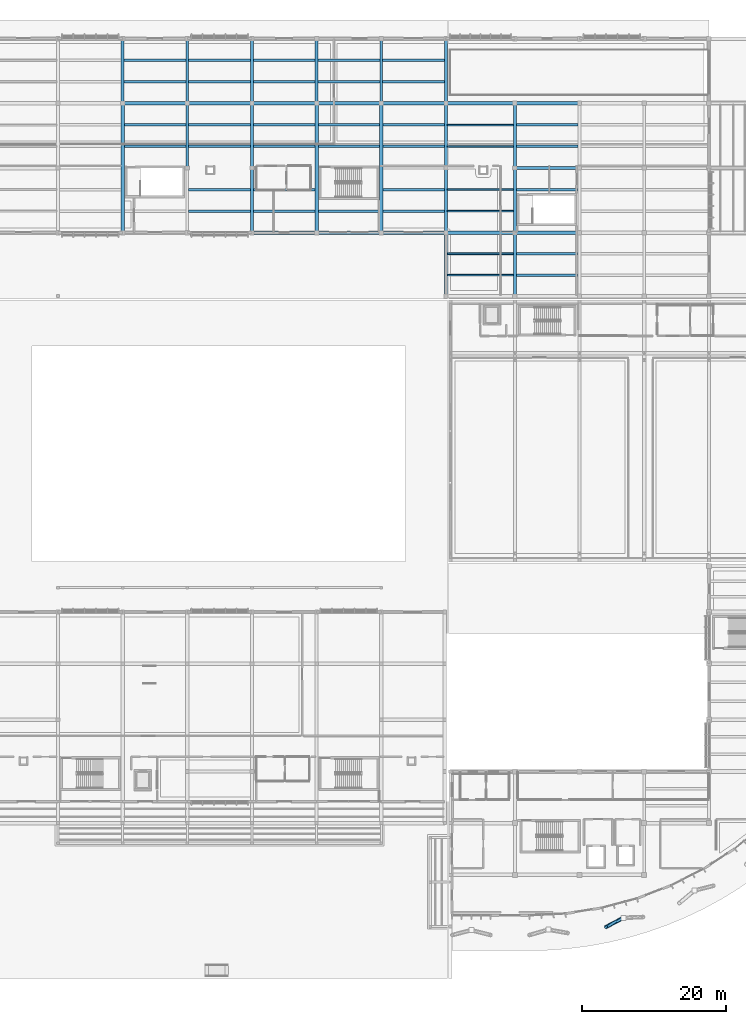
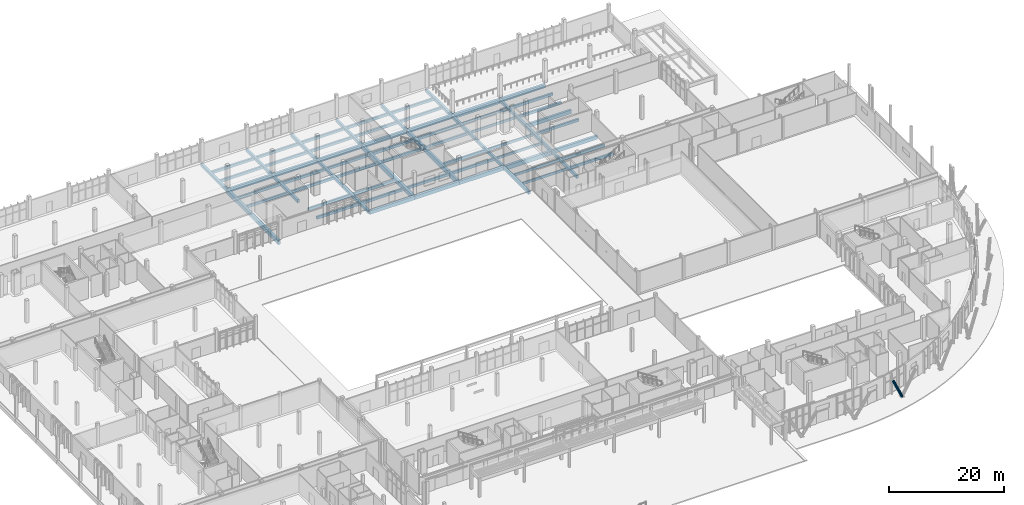
# One storey, part 67 of 151: 69 beams, 1 member.
"""IFC4 building model written with IfcOpenShell, lengths in metres."""

from ifc_helpers import new_model, si_unit, direction, frame, origin, origin_2d, place, context, subcontext, project, spatial, rectangle, hollow_circle, extrude, material, material_profile, profile_set, type_object, element, save


model = new_model("IFC4")

# Units and contexts
model_context = context("Model", 3, precision=1e-05, world=origin(), true_north=direction((0.0, 1.0)))
body_context = subcontext(model_context, "Body", "Model", "MODEL_VIEW")
ifc_project = project(units=[si_unit("LENGTHUNIT", "METRE"), si_unit("AREAUNIT", "SQUARE_METRE"), si_unit("VOLUMEUNIT", "CUBIC_METRE"), si_unit("PLANEANGLEUNIT", "RADIAN"), si_unit("MASSUNIT", "GRAM", prefix="KILO")], contexts=[model_context])

# Site, building, storey
site_placement = place(None, origin())
site = spatial("IfcSite", under=ifc_project, at=site_placement, CompositionType="ELEMENT")
building_placement = place(site_placement, origin())
building = spatial("IfcBuilding", under=site, at=building_placement, Name="Chiffa Square Polytechnic", CompositionType="ELEMENT")
storey_placement = place(building_placement, origin())
storey = spatial("IfcBuildingStorey", under=building, at=storey_placement, Name="L00", CompositionType="ELEMENT", Elevation=0.0)

# Beams
ifc_material_1 = material(Name="Concrete C35/45", Category="concrete")
ifc_material_profile_1 = material_profile(ifc_material_1, rectangle(XDim=0.39990234375, YDim=0.64990234375, at=origin_2d()), Name="RC 400x650")
ifc_profile_set_1 = profile_set([ifc_material_profile_1], Name="Concrete C35/45")
beam_type_1 = type_object("IfcBeamType", Name="BM-RC-400X650", PredefinedType="BEAM", material=ifc_profile_set_1)
for number, where, z_axis, x_axis, name in (
    (1, (66.60009765625, 121.800048828125, -0.675048828125), (0.0, 1.0, 0.0), (-1.0, 0.0, 0.0), "Primary floor girder BM-V5-L00-Y-0666-1218"),
    (2, (75.60009765625, 112.800048828125, -0.675048828125), (0.0, 1.0, 0.0), (-1.0, 0.0, 0.0), "Primary floor girder BM-V5-L00-Y-0756-1128"),
    (3, (75.60009765625, 121.800048828125, -0.675048828125), (0.0, 1.0, 0.0), (-1.0, 0.0, 0.0), "Primary floor girder BM-V5-L00-Y-0756-1218"),
    (4, (84.60009765625, 103.800048828125, -0.675048828125), (0.0, 1.0, 0.0), (-1.0, 0.0, 0.0), "Primary floor girder BM-V5-L00-Y-0846-1038"),
    (5, (84.60009765625, 112.800048828125, -0.675048828125), (0.0, 1.0, 0.0), (-1.0, 0.0, 0.0), "Primary floor girder BM-V5-L00-Y-0846-1128"),
    (6, (84.60009765625, 121.800048828125, -0.675048828125), (0.0, 1.0, 0.0), (-1.0, 0.0, 0.0), "Primary floor girder BM-V5-L00-Y-0846-1218"),
    (7, (93.60009765625, 121.800048828125, -0.675048828125), (0.0, 1.0, 0.0), (-1.0, 0.0, 0.0), "Primary floor girder BM-V5-L00-Y-0936-1218"),
    (8, (102.60009765625, 121.800048828125, -0.675048828125), (0.0, 1.0, 0.0), (-1.0, 0.0, 0.0), "Primary floor girder BM-V5-L00-Y-1026-1218"),
):
    element("IfcBeam", number, at=place(storey_placement, frame(where, z_axis=z_axis, x_axis=x_axis)), inside=storey, type_object=beam_type_1, Name=name, PredefinedType="BEAM", context=body_context, shape_type="SweptSolid", body=[
        extrude(rectangle(XDim=0.39990234375, YDim=0.64990234375, at=origin_2d()), origin(), (0.0, 0.0, 1.0), 9.0),
    ])
beam_1_placement = place(storey_placement, frame((111.60009765625, 94.949951171875, -0.675048828125), z_axis=(0.0, 1.0, 0.0), x_axis=(-1.0, 0.0, 0.0)))
element("IfcBeam", 9, at=beam_1_placement, inside=storey, type_object=beam_type_1, Name="Primary floor girder BM-V5-L00-Y-1116-0950", PredefinedType="BEAM", context=body_context, shape_type="SweptSolid", body=[
    extrude(rectangle(XDim=0.39990234375, YDim=0.64990234375, at=origin_2d()), origin(), (0.0, 0.0, 1.0), 8.85009765625),
])
for number, where, z_axis, x_axis, name in (
    (10, (111.60009765625, 103.800048828125, -0.675048828125), (0.0, 1.0, 0.0), (-1.0, 0.0, 0.0), "Primary floor girder BM-V5-L00-Y-1116-1038"),
    (11, (111.60009765625, 112.800048828125, -0.675048828125), (0.0, 1.0, 0.0), (-1.0, 0.0, 0.0), "Primary floor girder BM-V5-L00-Y-1116-1128"),
    (12, (111.60009765625, 121.800048828125, -0.675048828125), (0.0, 1.0, 0.0), (-1.0, 0.0, 0.0), "Primary floor girder BM-V5-L00-Y-1116-1218"),
):
    element("IfcBeam", number, at=place(storey_placement, frame(where, z_axis=z_axis, x_axis=x_axis)), inside=storey, type_object=beam_type_1, Name=name, PredefinedType="BEAM", context=body_context, shape_type="SweptSolid", body=[
        extrude(rectangle(XDim=0.39990234375, YDim=0.64990234375, at=origin_2d()), origin(), (0.0, 0.0, 1.0), 9.0),
    ])
beam_2_placement = place(storey_placement, frame((121.199951171875, 94.949951171875, -0.675048828125), z_axis=(0.0, 1.0, 0.0), x_axis=(-1.0, 0.0, 0.0)))
element("IfcBeam", 13, at=beam_2_placement, inside=storey, type_object=beam_type_1, Name="Primary floor girder BM-V5-L00-Y-1212-0950", PredefinedType="BEAM", context=body_context, shape_type="SweptSolid", body=[
    extrude(rectangle(XDim=0.39990234375, YDim=0.64990234375, at=origin_2d()), origin(), (0.0, 0.0, 1.0), 8.85009765625),
])
for number, where, z_axis, x_axis, name in (
    (14, (121.199951171875, 103.800048828125, -0.675048828125), (0.0, 1.0, 0.0), (-1.0, 0.0, 0.0), "Primary floor girder BM-V5-L00-Y-1212-1038"),
    (15, (121.199951171875, 112.800048828125, -0.675048828125), (0.0, 1.0, 0.0), (-1.0, 0.0, 0.0), "Primary floor girder BM-V5-L00-Y-1212-1128"),
):
    element("IfcBeam", number, at=place(storey_placement, frame(where, z_axis=z_axis, x_axis=x_axis)), inside=storey, type_object=beam_type_1, Name=name, PredefinedType="BEAM", context=body_context, shape_type="SweptSolid", body=[
        extrude(rectangle(XDim=0.39990234375, YDim=0.64990234375, at=origin_2d()), origin(), (0.0, 0.0, 1.0), 9.0),
    ])
ifc_material_profile_2 = material_profile(ifc_material_1, rectangle(XDim=0.449951171875, YDim=0.75, at=origin_2d()), Name="RC 450x750")
ifc_profile_set_2 = profile_set([ifc_material_profile_2], Name="Concrete C35/45")
beam_type_2 = type_object("IfcBeamType", Name="BM-RC-450X750", PredefinedType="BEAM", material=ifc_profile_set_2)
for number, where, z_axis, x_axis, name in (
    (16, (84.60009765625, 103.800048828125, -0.72509765625), (1.0, 0.0, 0.0), (0.0, 1.0, 0.0), "Primary floor girder BM-V5-L00-X-0846-1038"),
    (17, (93.60009765625, 103.800048828125, -0.72509765625), (1.0, 0.0, 0.0), (0.0, 1.0, 0.0), "Primary floor girder BM-V5-L00-X-0936-1038"),
    (18, (102.60009765625, 103.800048828125, -0.72509765625), (1.0, 0.0, 0.0), (0.0, 1.0, 0.0), "Primary floor girder BM-V5-L00-X-1026-1038"),
    (19, (121.199951171875, 103.800048828125, -0.72509765625), (1.0, 0.0, 0.0), (0.0, 1.0, 0.0), "Primary floor girder BM-V5-L00-X-1212-1038"),
    (20, (121.199951171875, 112.800048828125, -0.72509765625), (1.0, 0.0, 0.0), (0.0, 1.0, 0.0), "Primary floor girder BM-V5-L00-X-1212-1128"),
    (21, (66.60009765625, 121.800048828125, -0.72509765625), (1.0, 0.0, 0.0), (0.0, 1.0, 0.0), "Primary floor girder BM-V5-L00-X-0666-1218"),
    (22, (75.60009765625, 121.800048828125, -0.72509765625), (1.0, 0.0, 0.0), (0.0, 1.0, 0.0), "Primary floor girder BM-V5-L00-X-0756-1218"),
    (23, (84.60009765625, 121.800048828125, -0.72509765625), (1.0, 0.0, 0.0), (0.0, 1.0, 0.0), "Primary floor girder BM-V5-L00-X-0846-1218"),
    (24, (93.60009765625, 121.800048828125, -0.72509765625), (1.0, 0.0, 0.0), (0.0, 1.0, 0.0), "Primary floor girder BM-V5-L00-X-0936-1218"),
    (25, (102.60009765625, 121.800048828125, -0.72509765625), (1.0, 0.0, 0.0), (0.0, 1.0, 0.0), "Primary floor girder BM-V5-L00-X-1026-1218"),
    (26, (121.199951171875, 121.800048828125, -0.72509765625), (1.0, 0.0, 0.0), (0.0, 1.0, 0.0), "Primary floor girder BM-V5-L00-X-1212-1218"),
):
    element("IfcBeam", number, at=place(storey_placement, frame(where, z_axis=z_axis, x_axis=x_axis)), inside=storey, type_object=beam_type_2, Name=name, PredefinedType="BEAM", context=body_context, shape_type="SweptSolid", body=[
        extrude(rectangle(XDim=0.449951171875, YDim=0.75, at=origin_2d()), origin(), (0.0, 0.0, 1.0), 9.0),
    ])
ifc_material_2 = material(Name="Concrete C40/50", Category="concrete")
ifc_material_profile_3 = material_profile(ifc_material_2, rectangle(XDim=0.5, YDim=0.89990234375, at=origin_2d()), Name="RC 500x900")
ifc_profile_set_3 = profile_set([ifc_material_profile_3], Name="Concrete C40/50")
beam_type_3 = type_object("IfcBeamType", Name="BM-RC-500X900", PredefinedType="BEAM", material=ifc_profile_set_3)
for number, where, z_axis, x_axis, name in (
    (27, (111.60009765625, 103.800048828125, -0.800048828125), (1.0, 0.0, 0.0), (0.0, 1.0, 0.0), "Primary floor girder BM-V5-L00-X-1116-1038"),
    (28, (111.60009765625, 121.800048828125, -0.800048828125), (1.0, 0.0, 0.0), (0.0, 1.0, 0.0), "Primary floor girder BM-V5-L00-X-1116-1218"),
):
    element("IfcBeam", number, at=place(storey_placement, frame(where, z_axis=z_axis, x_axis=x_axis)), inside=storey, type_object=beam_type_3, Name=name, PredefinedType="BEAM", context=body_context, shape_type="SweptSolid", body=[
        extrude(rectangle(XDim=0.5, YDim=0.89990234375, at=origin_2d()), origin(), (0.0, 0.0, 1.0), 9.599853515625),
    ])
for number, where, z_axis, x_axis, name in (
    (29, (66.60009765625, 103.800048828125, -0.800048828125), (0.0, 1.0, 0.0), (-1.0, 0.0, 0.0), "Primary floor girder BM-V5-L00-Y-0666-1038"),
    (30, (93.60009765625, 103.800048828125, -0.800048828125), (0.0, 1.0, 0.0), (-1.0, 0.0, 0.0), "Primary floor girder BM-V5-L00-Y-0936-1038"),
    (31, (102.60009765625, 103.800048828125, -0.800048828125), (0.0, 1.0, 0.0), (-1.0, 0.0, 0.0), "Primary floor girder BM-V5-L00-Y-1026-1038"),
):
    element("IfcBeam", number, at=place(storey_placement, frame(where, z_axis=z_axis, x_axis=x_axis)), inside=storey, type_object=beam_type_3, Name=name, PredefinedType="BEAM", context=body_context, shape_type="SweptSolid", body=[
        extrude(rectangle(XDim=0.5, YDim=0.89990234375, at=origin_2d()), origin(), (0.0, 0.0, 1.0), 18.0),
    ])

# Member
ifc_material_3 = material(Name="Steel S355", Category="steel")
ifc_material_profile_4 = material_profile(ifc_material_3, hollow_circle(Radius=0.25390625, WallThickness=0.01611328125, at=origin_2d()), Name="CHS 508x16")
ifc_profile_set_4 = profile_set([ifc_material_profile_4], Name="Steel S355")
member_type = type_object("IfcMemberType", Name="COL-VSTRUT-508", PredefinedType="STRUT", material=ifc_profile_set_4)
member_placement = place(storey_placement, frame((136.306884765625, 8.43408203125, 0.0), z_axis=(-0.440328362203, -0.231877153766, 0.867377610387), x_axis=(0.465943720101, -0.88481435889, 0.0)))
element("IfcMember", 32, at=member_placement, inside=storey, type_object=member_type, Name="Prow steel V-strut CV-V1-L00-03L", PredefinedType="STRUT", context=body_context, shape_type="SweptSolid", body=[
    extrude(hollow_circle(Radius=0.25390625, WallThickness=0.01611328125, at=origin_2d()), origin(), (0.0, 0.0, 1.0), 5.533935546875),
])

# Beams
ifc_material_4 = material(Name="Glulam GL28h", Category="wood")
ifc_material_profile_5 = material_profile(ifc_material_4, rectangle(XDim=0.239990234375, YDim=0.52001953125, at=origin_2d()), Name="GL28h 240x520")
ifc_profile_set_5 = profile_set([ifc_material_profile_5], Name="Glulam GL28h")
beam_type_4 = type_object("IfcBeamType", Name="JST-GL-240X520", PredefinedType="JOIST", material=ifc_profile_set_5)
for number, where, z_axis, x_axis, name in (
    (33, (111.798095703125, 97.89990234375, -0.610107421875), (1.0, 0.0, 0.0), (0.0, 1.0, 0.0), "Secondary floor joist JST-V5-L00-1116-0979"),
    (34, (111.798095703125, 100.85009765625, -0.610107421875), (1.0, 0.0, 0.0), (0.0, 1.0, 0.0), "Secondary floor joist JST-V5-L00-1116-1008"),
    (35, (111.798095703125, 106.800048828125, -0.610107421875), (1.0, 0.0, 0.0), (0.0, 1.0, 0.0), "Secondary floor joist JST-V5-L00-1116-1068"),
    (36, (111.798095703125, 109.800048828125, -0.610107421875), (1.0, 0.0, 0.0), (0.0, 1.0, 0.0), "Secondary floor joist JST-V5-L00-1116-1098"),
    (37, (111.798095703125, 115.800048828125, -0.610107421875), (1.0, 0.0, 0.0), (0.0, 1.0, 0.0), "Secondary floor joist JST-V5-L00-1116-1158"),
    (38, (111.798095703125, 118.800048828125, -0.610107421875), (1.0, 0.0, 0.0), (0.0, 1.0, 0.0), "Secondary floor joist JST-V5-L00-1116-1188"),
):
    element("IfcBeam", number, at=place(storey_placement, frame(where, z_axis=z_axis, x_axis=x_axis)), inside=storey, type_object=beam_type_4, Name=name, PredefinedType="JOIST", context=body_context, shape_type="SweptSolid", body=[
        extrude(rectangle(XDim=0.239990234375, YDim=0.52001953125, at=origin_2d()), origin(), (0.0, 0.0, 1.0), 9.203857421875),
    ])
ifc_material_profile_6 = material_profile(ifc_material_1, rectangle(XDim=0.35009765625, YDim=0.550048828125, at=origin_2d()), Name="RC 350x550")
ifc_profile_set_6 = profile_set([ifc_material_profile_6], Name="Concrete C35/45")
beam_type_5 = type_object("IfcBeamType", Name="JST-RC-350X550", PredefinedType="JOIST", material=ifc_profile_set_6)
for number, where, z_axis, x_axis, name in (
    (39, (66.847900390625, 115.800048828125, -0.625), (1.0, 0.0, 0.0), (0.0, 1.0, 0.0), "Secondary floor joist JST-V5-L00-0666-1158"),
    (40, (66.847900390625, 118.800048828125, -0.625), (1.0, 0.0, 0.0), (0.0, 1.0, 0.0), "Secondary floor joist JST-V5-L00-0666-1188"),
):
    element("IfcBeam", number, at=place(storey_placement, frame(where, z_axis=z_axis, x_axis=x_axis)), inside=storey, type_object=beam_type_5, Name=name, PredefinedType="JOIST", context=body_context, shape_type="SweptSolid", body=[
        extrude(rectangle(XDim=0.35009765625, YDim=0.550048828125, at=origin_2d()), origin(), (0.0, 0.0, 1.0), 8.55419921875),
    ])
for number, where, z_axis, x_axis, name in (
    (41, (66.798095703125, 124.800048828125, -0.625), (1.0, 0.0, 0.0), (0.0, 1.0, 0.0), "Secondary floor joist JST-V5-L00-0666-1248"),
    (42, (66.798095703125, 127.800048828125, -0.625), (1.0, 0.0, 0.0), (0.0, 1.0, 0.0), "Secondary floor joist JST-V5-L00-0666-1278"),
    (43, (75.798095703125, 106.800048828125, -0.625), (1.0, 0.0, 0.0), (0.0, 1.0, 0.0), "Secondary floor joist JST-V5-L00-0756-1068"),
    (44, (75.798095703125, 109.800048828125, -0.625), (1.0, 0.0, 0.0), (0.0, 1.0, 0.0), "Secondary floor joist JST-V5-L00-0756-1098"),
    (45, (75.798095703125, 115.800048828125, -0.625), (1.0, 0.0, 0.0), (0.0, 1.0, 0.0), "Secondary floor joist JST-V5-L00-0756-1158"),
    (46, (75.798095703125, 118.800048828125, -0.625), (1.0, 0.0, 0.0), (0.0, 1.0, 0.0), "Secondary floor joist JST-V5-L00-0756-1188"),
    (47, (75.798095703125, 124.800048828125, -0.625), (1.0, 0.0, 0.0), (0.0, 1.0, 0.0), "Secondary floor joist JST-V5-L00-0756-1248"),
    (48, (75.798095703125, 127.800048828125, -0.625), (1.0, 0.0, 0.0), (0.0, 1.0, 0.0), "Secondary floor joist JST-V5-L00-0756-1278"),
):
    element("IfcBeam", number, at=place(storey_placement, frame(where, z_axis=z_axis, x_axis=x_axis)), inside=storey, type_object=beam_type_5, Name=name, PredefinedType="JOIST", context=body_context, shape_type="SweptSolid", body=[
        extrude(rectangle(XDim=0.35009765625, YDim=0.550048828125, at=origin_2d()), origin(), (0.0, 0.0, 1.0), 8.60400390625),
    ])
for number, where, z_axis, x_axis, name in (
    (49, (84.798095703125, 106.800048828125, -0.625), (1.0, 0.0, 0.0), (0.0, 1.0, 0.0), "Secondary floor joist JST-V5-L00-0846-1068"),
    (50, (84.798095703125, 109.800048828125, -0.625), (1.0, 0.0, 0.0), (0.0, 1.0, 0.0), "Secondary floor joist JST-V5-L00-0846-1098"),
    (51, (84.798095703125, 115.800048828125, -0.625), (1.0, 0.0, 0.0), (0.0, 1.0, 0.0), "Secondary floor joist JST-V5-L00-0846-1158"),
    (52, (84.798095703125, 118.800048828125, -0.625), (1.0, 0.0, 0.0), (0.0, 1.0, 0.0), "Secondary floor joist JST-V5-L00-0846-1188"),
):
    element("IfcBeam", number, at=place(storey_placement, frame(where, z_axis=z_axis, x_axis=x_axis)), inside=storey, type_object=beam_type_5, Name=name, PredefinedType="JOIST", context=body_context, shape_type="SweptSolid", body=[
        extrude(rectangle(XDim=0.35009765625, YDim=0.550048828125, at=origin_2d()), origin(), (0.0, 0.0, 1.0), 8.553955078125),
    ])
for number, where, z_axis, x_axis, name in (
    (53, (84.798095703125, 124.800048828125, -0.625), (1.0, 0.0, 0.0), (0.0, 1.0, 0.0), "Secondary floor joist JST-V5-L00-0846-1248"),
    (54, (84.798095703125, 127.800048828125, -0.625), (1.0, 0.0, 0.0), (0.0, 1.0, 0.0), "Secondary floor joist JST-V5-L00-0846-1278"),
):
    element("IfcBeam", number, at=place(storey_placement, frame(where, z_axis=z_axis, x_axis=x_axis)), inside=storey, type_object=beam_type_5, Name=name, PredefinedType="JOIST", context=body_context, shape_type="SweptSolid", body=[
        extrude(rectangle(XDim=0.35009765625, YDim=0.550048828125, at=origin_2d()), origin(), (0.0, 0.0, 1.0), 8.60400390625),
    ])
for number, where, z_axis, x_axis, name in (
    (55, (93.847900390625, 106.800048828125, -0.625), (1.0, 0.0, 0.0), (0.0, 1.0, 0.0), "Secondary floor joist JST-V5-L00-0936-1068"),
    (56, (93.847900390625, 115.800048828125, -0.625), (1.0, 0.0, 0.0), (0.0, 1.0, 0.0), "Secondary floor joist JST-V5-L00-0936-1158"),
    (57, (93.847900390625, 118.800048828125, -0.625), (1.0, 0.0, 0.0), (0.0, 1.0, 0.0), "Secondary floor joist JST-V5-L00-0936-1188"),
):
    element("IfcBeam", number, at=place(storey_placement, frame(where, z_axis=z_axis, x_axis=x_axis)), inside=storey, type_object=beam_type_5, Name=name, PredefinedType="JOIST", context=body_context, shape_type="SweptSolid", body=[
        extrude(rectangle(XDim=0.35009765625, YDim=0.550048828125, at=origin_2d()), origin(), (0.0, 0.0, 1.0), 8.504150390625),
    ])
for number, where, z_axis, x_axis, name in (
    (58, (93.798095703125, 124.800048828125, -0.625), (1.0, 0.0, 0.0), (0.0, 1.0, 0.0), "Secondary floor joist JST-V5-L00-0936-1248"),
    (59, (93.798095703125, 127.800048828125, -0.625), (1.0, 0.0, 0.0), (0.0, 1.0, 0.0), "Secondary floor joist JST-V5-L00-0936-1278"),
):
    element("IfcBeam", number, at=place(storey_placement, frame(where, z_axis=z_axis, x_axis=x_axis)), inside=storey, type_object=beam_type_5, Name=name, PredefinedType="JOIST", context=body_context, shape_type="SweptSolid", body=[
        extrude(rectangle(XDim=0.35009765625, YDim=0.550048828125, at=origin_2d()), origin(), (0.0, 0.0, 1.0), 8.60400390625),
    ])
for number, where, z_axis, x_axis, name in (
    (60, (102.847900390625, 106.800048828125, -0.625), (1.0, 0.0, 0.0), (0.0, 1.0, 0.0), "Secondary floor joist JST-V5-L00-1026-1068"),
    (61, (102.847900390625, 109.800048828125, -0.625), (1.0, 0.0, 0.0), (0.0, 1.0, 0.0), "Secondary floor joist JST-V5-L00-1026-1098"),
    (62, (102.847900390625, 115.800048828125, -0.625), (1.0, 0.0, 0.0), (0.0, 1.0, 0.0), "Secondary floor joist JST-V5-L00-1026-1158"),
    (63, (102.847900390625, 118.800048828125, -0.625), (1.0, 0.0, 0.0), (0.0, 1.0, 0.0), "Secondary floor joist JST-V5-L00-1026-1188"),
):
    element("IfcBeam", number, at=place(storey_placement, frame(where, z_axis=z_axis, x_axis=x_axis)), inside=storey, type_object=beam_type_5, Name=name, PredefinedType="JOIST", context=body_context, shape_type="SweptSolid", body=[
        extrude(rectangle(XDim=0.35009765625, YDim=0.550048828125, at=origin_2d()), origin(), (0.0, 0.0, 1.0), 8.55419921875),
    ])
for number, where, z_axis, x_axis, name in (
    (64, (102.798095703125, 124.800048828125, -0.625), (1.0, 0.0, 0.0), (0.0, 1.0, 0.0), "Secondary floor joist JST-V5-L00-1026-1248"),
    (65, (102.798095703125, 127.800048828125, -0.625), (1.0, 0.0, 0.0), (0.0, 1.0, 0.0), "Secondary floor joist JST-V5-L00-1026-1278"),
    (66, (121.39794921875, 97.89990234375, -0.625), (1.0, 0.0, 0.0), (0.0, 1.0, 0.0), "Secondary floor joist JST-V5-L00-1212-0979"),
    (67, (121.39794921875, 100.85009765625, -0.625), (1.0, 0.0, 0.0), (0.0, 1.0, 0.0), "Secondary floor joist JST-V5-L00-1212-1008"),
    (68, (121.39794921875, 109.800048828125, -0.625), (1.0, 0.0, 0.0), (0.0, 1.0, 0.0), "Secondary floor joist JST-V5-L00-1212-1098"),
    (69, (121.39794921875, 115.800048828125, -0.625), (1.0, 0.0, 0.0), (0.0, 1.0, 0.0), "Secondary floor joist JST-V5-L00-1212-1158"),
    (70, (121.39794921875, 118.800048828125, -0.625), (1.0, 0.0, 0.0), (0.0, 1.0, 0.0), "Secondary floor joist JST-V5-L00-1212-1188"),
):
    element("IfcBeam", number, at=place(storey_placement, frame(where, z_axis=z_axis, x_axis=x_axis)), inside=storey, type_object=beam_type_5, Name=name, PredefinedType="JOIST", context=body_context, shape_type="SweptSolid", body=[
        extrude(rectangle(XDim=0.35009765625, YDim=0.550048828125, at=origin_2d()), origin(), (0.0, 0.0, 1.0), 8.60400390625),
    ])

save(model, "model.ifc")
